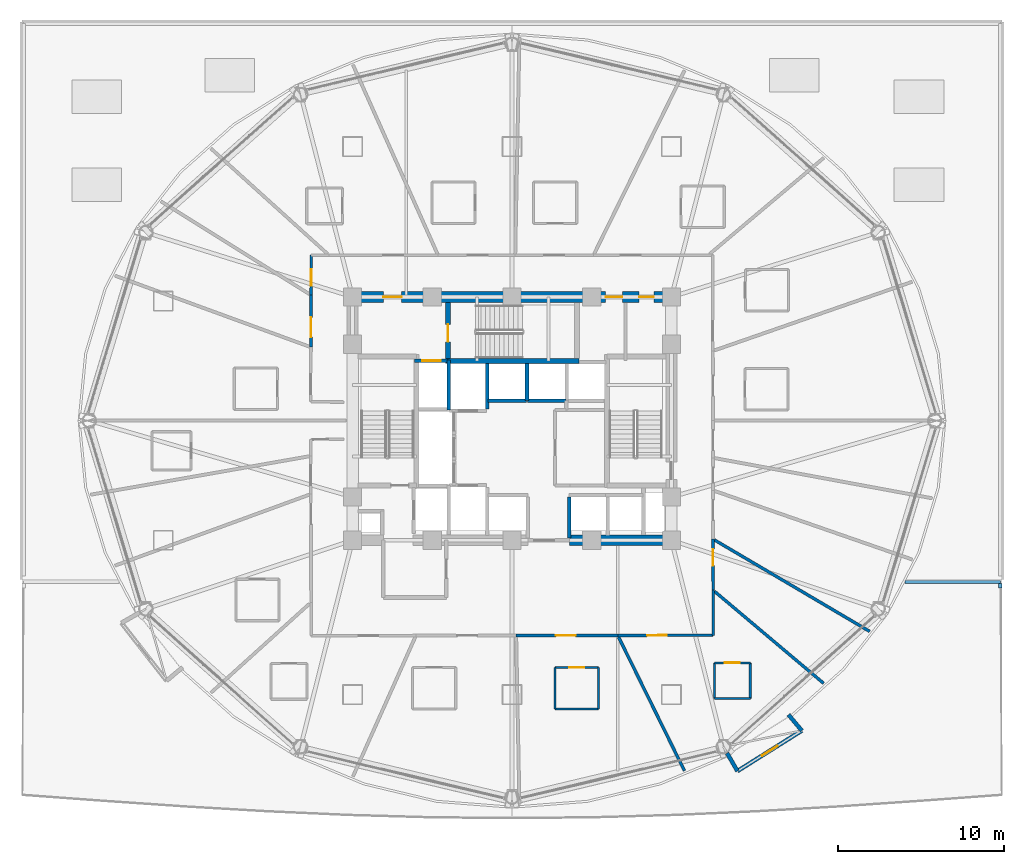
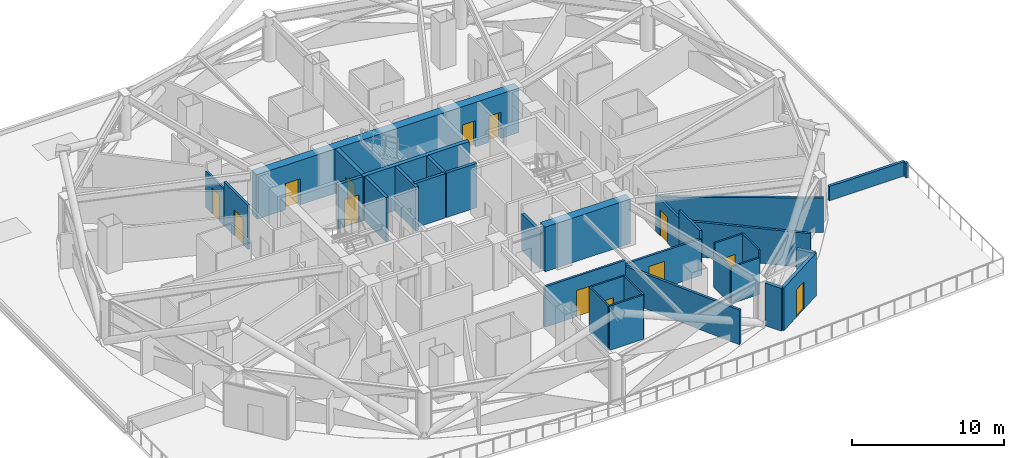
# One storey, part 21 of 27: 33 walls, 13 doors, 13 openings.
"""IFC4 building model written with IfcOpenShell, lengths in metres."""

from ifc_helpers import new_model, si_unit, direction, frame, frame_2d, origin, place, context, subcontext, project, spatial, rectangle, extrude, material, layer, layer_set, type_object, element, fill, save


model = new_model("IFC4")

# Units and contexts
model_context = context("Model", 3, precision=1e-05, world=origin(), true_north=direction((0.0, 1.0)))
body_context = subcontext(model_context, "Body", "Model", "MODEL_VIEW")
ifc_project = project(units=[si_unit("LENGTHUNIT", "METRE"), si_unit("AREAUNIT", "SQUARE_METRE"), si_unit("VOLUMEUNIT", "CUBIC_METRE"), si_unit("PLANEANGLEUNIT", "RADIAN"), si_unit("MASSUNIT", "GRAM", prefix="KILO")], contexts=[model_context])

# Site, building, storey
site_placement = place(None, origin())
site = spatial("IfcSite", under=ifc_project, at=site_placement, CompositionType="ELEMENT")
building_placement = place(site_placement, origin())
building = spatial("IfcBuilding", under=site, at=building_placement, Name="Vantalir Tower", CompositionType="ELEMENT")
storey_placement = place(building_placement, frame((0.0, 0.0, 27.0)))
storey = spatial("IfcBuildingStorey", under=building, at=storey_placement, Name="L05", CompositionType="ELEMENT", Elevation=27.0)

# Wall
ifc_material_1 = material(Name="Moisture-resistant en-suite partition", Category="gypsum")
ifc_layer_1 = layer(ifc_material_1, 0.125)
ifc_layer_set_1 = layer_set([ifc_layer_1], Name="Moisture-resistant en-suite partition")
wall_type_1 = type_object("IfcWallType", Name="WL-BATH-125", PredefinedType="PARTITIONING", material=ifc_layer_set_1)
wall_1_placement = place(storey_placement, frame((34.095947265625, 7.635009765625, 0.0), z_axis=(0.0, 0.0, 1.0), x_axis=(1.0, 0.0, 0.0)))
element("IfcWall", 1, at=wall_1_placement, inside=storey, type_object=wall_type_1, Name="L05 En-suite 15 South Wall", PredefinedType="PARTITIONING", context=body_context, shape_type="SweptSolid", body=[
    extrude(rectangle(XDim=2.60009765625, YDim=0.125, at=frame_2d((1.300048828125, 0.0))), origin(), (0.0, 0.0, 1.0), 3.550048828125),
])

# Wall, opening, door
wall_2_placement = place(storey_placement, frame((34.095947265625, 10.135009765625, 0.0), z_axis=(0.0, 0.0, 1.0), x_axis=(1.0, 0.0, 0.0)))
wall_2 = element("IfcWall", 2, at=wall_2_placement, inside=storey, type_object=wall_type_1, Name="L05 En-suite 15 North Wall", PredefinedType="PARTITIONING", context=body_context, shape_type="SweptSolid", body=[
    extrude(rectangle(XDim=2.60009765625, YDim=0.125, at=frame_2d((1.300048828125, 0.0))), origin(), (0.0, 0.0, 1.0), 3.550048828125),
])
opening_1_placement = place(wall_2_placement, frame((0.85009765625, 0.0, 0.0)))
opening_1 = element("IfcOpeningElement", 3, at=opening_1_placement, cuts=wall_2, Name="Opening D-WC", PredefinedType="OPENING", context=body_context, shape_type="SweptSolid", body=[
    extrude(rectangle(XDim=0.89990234375, YDim=2.10009765625, at=frame_2d((0.449951171875, 1.050048828125))), frame((0.0, 0.072509765625, 0.0), z_axis=(0.0, -1.0, 0.0), x_axis=(1.0, 0.0, 0.0)), (0.0, 0.0, 1.0), 0.14501953125),
])
ifc_material_2 = material(Name="Moisture-resistant hardwood door", Category="wood")
door_type_1 = type_object("IfcDoorType", Name="DR-ENSUITE-900", OperationType="NOTDEFINED", PredefinedType="DOOR", material=ifc_material_2)
door_1_placement = place(opening_1_placement, frame((0.89990234375, 0.0, 0.0), z_axis=(0.0, 0.0, 1.0), x_axis=(-1.0, 0.0, 0.0)))
door_1 = element("IfcDoor", 4, at=door_1_placement, inside=storey, type_object=door_type_1, Name="L05 En-suite 15 Door", OperationType="SINGLE_SWING_LEFT", OverallHeight=2.10009765625, OverallWidth=0.89990234375, PredefinedType="DOOR", context=body_context, shape_type="SweptSolid", body=[
    extrude(rectangle(XDim=0.89990234375, YDim=2.10009765625, at=frame_2d((0.449951171875, 1.050048828125))), frame((0.0, 0.02490234375, 0.0), z_axis=(0.0, -1.0, 0.0), x_axis=(1.0, 0.0, 0.0)), (0.0, 0.0, 1.0), 0.050048828125),
])
fill(opening_1, door_1)

# Walls
for number, where, z_axis, x_axis, name in (
    (5, (34.095947265625, 7.635009765625, 0.0), (0.0, 0.0, 1.0), (0.0, 1.0, 0.0), "L05 En-suite 15 West Wall"),
    (6, (36.696044921875, 7.635009765625, 0.0), (0.0, 0.0, 1.0), (0.0, 1.0, 0.0), "L05 En-suite 15 East Wall"),
):
    element("IfcWall", number, at=place(storey_placement, frame(where, z_axis=z_axis, x_axis=x_axis)), inside=storey, type_object=wall_type_1, Name=name, PredefinedType="PARTITIONING", context=body_context, shape_type="SweptSolid", body=[
        extrude(rectangle(XDim=2.5, YDim=0.125, at=frame_2d((1.25, 0.0))), origin(), (0.0, 0.0, 1.0), 3.550048828125),
    ])
wall_3_placement = place(storey_placement, frame((43.697021484375, 8.262939453125, 0.0), z_axis=(0.0, 0.0, 1.0), x_axis=(1.0, 0.0, 0.0)))
element("IfcWall", 7, at=wall_3_placement, inside=storey, type_object=wall_type_1, Name="L05 En-suite 16 South Wall", PredefinedType="PARTITIONING", context=body_context, shape_type="SweptSolid", body=[
    extrude(rectangle(XDim=2.14990234375, YDim=0.125, at=frame_2d((1.074951171875, 0.0))), origin(), (0.0, 0.0, 1.0), 2.928955078125),
])

# Wall, opening, door
wall_4_placement = place(storey_placement, frame((43.697021484375, 10.4130859375, 0.0), z_axis=(0.0, 0.0, 1.0), x_axis=(1.0, 0.0, 0.0)))
wall_4 = element("IfcWall", 8, at=wall_4_placement, inside=storey, type_object=wall_type_1, Name="L05 En-suite 16 North Wall", PredefinedType="PARTITIONING", context=body_context, shape_type="SweptSolid", body=[
    extrude(rectangle(XDim=2.14990234375, YDim=0.125, at=frame_2d((1.074951171875, 0.0))), origin(), (0.0, 0.0, 1.0), 3.550048828125),
])
opening_2_placement = place(wall_4_placement, frame((0.625, 0.0, 0.0)))
opening_2 = element("IfcOpeningElement", 9, at=opening_2_placement, cuts=wall_4, Name="Opening D-WC", PredefinedType="OPENING", context=body_context, shape_type="SweptSolid", body=[
    extrude(rectangle(XDim=0.89990234375, YDim=2.10009765625, at=frame_2d((0.449951171875, 1.050048828125))), frame((0.0, 0.072509765625, 0.0), z_axis=(0.0, -1.0, 0.0), x_axis=(1.0, 0.0, 0.0)), (0.0, 0.0, 1.0), 0.14501953125),
])
door_2_placement = place(opening_2_placement, frame((0.89990234375, 0.0, 0.0), z_axis=(0.0, 0.0, 1.0), x_axis=(-1.0, 0.0, 0.0)))
door_2 = element("IfcDoor", 10, at=door_2_placement, inside=storey, type_object=door_type_1, Name="L05 En-suite 16 Door", OperationType="SINGLE_SWING_RIGHT", OverallHeight=2.10009765625, OverallWidth=0.89990234375, PredefinedType="DOOR", context=body_context, shape_type="SweptSolid", body=[
    extrude(rectangle(XDim=0.89990234375, YDim=2.10009765625, at=frame_2d((0.449951171875, 1.050048828125))), frame((0.0, 0.02490234375, 0.0), z_axis=(0.0, -1.0, 0.0), x_axis=(1.0, 0.0, 0.0)), (0.0, 0.0, 1.0), 0.050048828125),
])
fill(opening_2, door_2)

# Walls
wall_5_placement = place(storey_placement, frame((43.697021484375, 8.262939453125, 0.0), z_axis=(0.0, 0.0, 1.0), x_axis=(0.0, 1.0, 0.0)))
element("IfcWall", 11, at=wall_5_placement, inside=storey, type_object=wall_type_1, Name="L05 En-suite 16 West Wall", PredefinedType="PARTITIONING", context=body_context, shape_type="SweptSolid", body=[
    extrude(rectangle(XDim=2.150146484375, YDim=0.125, at=frame_2d((1.0751953125, 0.0))), origin(), (0.0, 0.0, 1.0), 2.928955078125),
])
wall_6_placement = place(storey_placement, frame((45.846923828125, 8.262939453125, 0.0), z_axis=(0.0, 0.0, 1.0), x_axis=(0.0, 1.0, 0.0)))
element("IfcWall", 12, at=wall_6_placement, inside=storey, type_object=wall_type_1, Name="L05 En-suite 16 East Wall", PredefinedType="PARTITIONING", context=body_context, shape_type="SweptSolid", body=[
    extrude(rectangle(XDim=2.150146484375, YDim=0.125, at=frame_2d((1.0751953125, 0.0))), origin(), (0.0, 0.0, 1.0), 3.550048828125),
])
ifc_material_3 = material(Name="Concrete C60/75", Category="concrete")
ifc_layer_2 = layer(ifc_material_3, 0.64990234375)
ifc_layer_set_2 = layer_set([ifc_layer_2], Name="Concrete C60/75")
wall_type_2 = type_object("IfcWallType", Name="WL-CORE-650", PredefinedType="SHEAR", material=ifc_layer_set_2)
wall_7_placement = place(storey_placement, frame((34.949951171875, 17.800048828125, 0.0), z_axis=(0.0, 0.0, 1.0), x_axis=(1.0, 0.0, 0.0)))
element("IfcWall", 13, at=wall_7_placement, inside=storey, type_object=wall_type_2, Name="L05 Core Shear Wall South-East", PredefinedType="SHEAR", context=body_context, shape_type="SweptSolid", body=[
    extrude(rectangle(XDim=6.47509765625, YDim=0.64990234375, at=frame_2d((3.237548828125, 0.0))), origin(), (0.0, 0.0, 1.0), 3.570068359375),
])

# Wall, openings, doors
wall_8_placement = place(storey_placement, frame((21.574951171875, 32.449951171875, 0.0), z_axis=(0.0, 0.0, 1.0), x_axis=(1.0, 0.0, 0.0)))
wall_8 = element("IfcWall", 14, at=wall_8_placement, inside=storey, type_object=wall_type_2, Name="L05 Core Shear Wall North", PredefinedType="SHEAR", context=body_context, shape_type="SweptSolid", body=[
    extrude(rectangle(XDim=19.85009765625, YDim=0.64990234375, at=frame_2d((9.925048828125, 0.0))), origin(), (0.0, 0.0, 1.0), 3.570068359375),
])
opening_3_placement = place(wall_8_placement, frame((2.175048828125, 0.0, 0.0)))
opening_3 = element("IfcOpeningElement", 15, at=opening_3_placement, cuts=wall_8, Name="Opening D-FFL", PredefinedType="OPENING", context=body_context, shape_type="SweptSolid", body=[
    extrude(rectangle(XDim=1.10009765625, YDim=2.10009765625, at=frame_2d((0.550048828125, 1.050048828125))), frame((0.0, 0.3349609375, 0.0), z_axis=(0.0, -1.0, 0.0), x_axis=(1.0, 0.0, 0.0)), (0.0, 0.0, 1.0), 0.669921875),
])
opening_4_placement = place(wall_8_placement, frame((15.56494140625, 0.0, 0.0)))
opening_4 = element("IfcOpeningElement", 16, at=opening_4_placement, cuts=wall_8, Name="Opening D-GUEST", PredefinedType="OPENING", context=body_context, shape_type="SweptSolid", body=[
    extrude(rectangle(XDim=1.0, YDim=2.10009765625, at=frame_2d((0.5, 1.050048828125))), frame((0.0, 0.3349609375, 0.0), z_axis=(0.0, -1.0, 0.0), x_axis=(1.0, 0.0, 0.0)), (0.0, 0.0, 1.0), 0.669921875),
])
opening_5_placement = place(wall_8_placement, frame((17.574951171875, 0.0, 0.0)))
opening_5 = element("IfcOpeningElement", 17, at=opening_5_placement, cuts=wall_8, Name="Opening D-CR", PredefinedType="OPENING", context=body_context, shape_type="SweptSolid", body=[
    extrude(rectangle(XDim=0.89990234375, YDim=2.10009765625, at=frame_2d((0.449951171875, 1.050048828125))), frame((0.0, 0.3349609375, 0.0), z_axis=(0.0, -1.0, 0.0), x_axis=(1.0, 0.0, 0.0)), (0.0, 0.0, 1.0), 0.669921875),
])
ifc_material_4 = material(Name="Fire-rated steel core service door", Category="steel")
door_type_2 = type_object("IfcDoorType", Name="DR-CORE-SERV-900", OperationType="NOTDEFINED", PredefinedType="DOOR", material=ifc_material_4)
door_3_placement = place(opening_5_placement, frame((0.89990234375, 0.0, 0.0), z_axis=(0.0, 0.0, 1.0), x_axis=(-1.0, 0.0, 0.0)))
door_3 = element("IfcDoor", 18, at=door_3_placement, inside=storey, type_object=door_type_2, Name="L05 Housekeeping and Linen Room Door", OperationType="SINGLE_SWING_RIGHT", OverallHeight=2.10009765625, OverallWidth=0.89990234375, PredefinedType="DOOR", context=body_context, shape_type="SweptSolid", body=[
    extrude(rectangle(XDim=0.89990234375, YDim=2.10009765625, at=frame_2d((0.449951171875, 1.050048828125))), frame((0.0, 0.02490234375, 0.0), z_axis=(0.0, -1.0, 0.0), x_axis=(1.0, 0.0, 0.0)), (0.0, 0.0, 1.0), 0.050048828125),
])
fill(opening_5, door_3)
ifc_material_5 = material(Name="Fire-rated acoustic steel door", Category="steel")
door_type_3 = type_object("IfcDoorType", Name="DR-FIRE-LOBBY-1100", OperationType="NOTDEFINED", PredefinedType="DOOR", material=ifc_material_5)
door_4_placement = place(opening_3_placement, frame((1.10009765625, 0.0, 0.0), z_axis=(0.0, 0.0, 1.0), x_axis=(-1.0, 0.0, 0.0)))
door_4 = element("IfcDoor", 19, at=door_4_placement, inside=storey, type_object=door_type_3, Name="L05 Firefighting Lobby East Access Door", OperationType="SINGLE_SWING_LEFT", OverallHeight=2.10009765625, OverallWidth=1.10009765625, PredefinedType="DOOR", context=body_context, shape_type="SweptSolid", body=[
    extrude(rectangle(XDim=1.10009765625, YDim=2.10009765625, at=frame_2d((0.550048828125, 1.050048828125))), frame((0.0, 0.02490234375, 0.0), z_axis=(0.0, -1.0, 0.0), x_axis=(1.0, 0.0, 0.0)), (0.0, 0.0, 1.0), 0.050048828125),
])
fill(opening_3, door_4)
ifc_material_6 = material(Name="Solid-core teak veneer acoustic fire door", Category="wood")
door_type_4 = type_object("IfcDoorType", Name="DR-GUEST-ENTRY-1000", OperationType="NOTDEFINED", PredefinedType="DOOR", material=ifc_material_6)
door_5_placement = place(opening_4_placement, frame((1.0, 0.0, 0.0), z_axis=(0.0, 0.0, 1.0), x_axis=(-1.0, 0.0, 0.0)))
door_5 = element("IfcDoor", 20, at=door_5_placement, inside=storey, type_object=door_type_4, Name="L05 High-Rise Lift Lobby Door", OperationType="SINGLE_SWING_LEFT", OverallHeight=2.10009765625, OverallWidth=1.0, PredefinedType="DOOR", context=body_context, shape_type="SweptSolid", body=[
    extrude(rectangle(XDim=1.0, YDim=2.10009765625, at=frame_2d((0.5, 1.050048828125))), frame((0.0, 0.02490234375, 0.0), z_axis=(0.0, -1.0, 0.0), x_axis=(1.0, 0.0, 0.0)), (0.0, 0.0, 1.0), 0.050048828125),
])
fill(opening_4, door_5)

# Wall, opening, door
ifc_material_7 = material(Name="Fire-rated hotel corridor acoustic partition", Category="gypsum")
ifc_layer_3 = layer(ifc_material_7, 0.159912109375)
ifc_layer_set_3 = layer_set([ifc_layer_3], Name="Fire-rated hotel corridor acoustic partition")
wall_type_3 = type_object("IfcWallType", Name="WL-CORR-160", PredefinedType="PARTITIONING", material=ifc_layer_set_3)
wall_9_placement = place(storey_placement, frame((19.39306640625, 29.422119140625, 0.0), z_axis=(0.0, 0.0, 1.0), x_axis=(0.002490458461, 0.999996898804, 0.0)))
wall_9 = element("IfcWall", 21, at=wall_9_placement, inside=storey, type_object=wall_type_3, Name="L05 Corridor Partition 03", PredefinedType="PARTITIONING", context=body_context, shape_type="SweptSolid", body=[
    extrude(rectangle(XDim=3.136962890625, YDim=0.159912109375, at=frame_2d((1.568359375, 0.0))), origin(), (0.0, 0.0, 1.0), 3.550048828125),
])
opening_6_placement = place(wall_9_placement, frame((0.60107421875, 0.0, 0.0)))
opening_6 = element("IfcOpeningElement", 22, at=opening_6_placement, cuts=wall_9, Name="Opening D-STE", PredefinedType="OPENING", context=body_context, shape_type="SweptSolid", body=[
    extrude(rectangle(XDim=1.199951171875, YDim=2.10009765625, at=frame_2d((0.60009765625, 1.050048828125))), frame((0.0, 0.08984375, 0.0), z_axis=(0.0, -1.0, 0.0), x_axis=(1.0, 0.0, 0.0)), (0.0, 0.0, 1.0), 0.179931640625),
])
ifc_material_8 = material(Name="Solid-core teak veneer suite entrance door", Category="wood")
door_type_5 = type_object("IfcDoorType", Name="DR-SUITE-ENTRY-1200", OperationType="NOTDEFINED", PredefinedType="DOOR", material=ifc_material_8)
door_6_placement = place(opening_6_placement, origin())
door_6 = element("IfcDoor", 23, at=door_6_placement, inside=storey, type_object=door_type_5, Name="L05 Club Reading Lounge 08 Door", OperationType="SINGLE_SWING_RIGHT", OverallHeight=2.10009765625, OverallWidth=1.199951171875, PredefinedType="DOOR", context=body_context, shape_type="SweptSolid", body=[
    extrude(rectangle(XDim=1.199951171875, YDim=2.10009765625, at=frame_2d((0.60009765625, 1.050048828125))), frame((0.0, 0.02490234375, 0.0), z_axis=(0.0, -1.0, 0.0), x_axis=(1.0, 0.0, 0.0)), (0.0, 0.0, 1.0), 0.050048828125),
])
fill(opening_6, door_6)

wall_10_placement = place(storey_placement, frame((19.40087890625, 32.55908203125, 0.0), z_axis=(0.0, 0.0, 1.0), x_axis=(0.002135443575, 0.999997719938, 0.0)))
wall_10 = element("IfcWall", 24, at=wall_10_placement, inside=storey, type_object=wall_type_3, Name="L05 Corridor Partition 04", PredefinedType="PARTITIONING", context=body_context, shape_type="SweptSolid", body=[
    extrude(rectangle(XDim=2.40087890625, YDim=0.159912109375, at=frame_2d((1.200439453125, 0.0))), origin(), (0.0, 0.0, 1.0), 2.928955078125),
])
opening_7_placement = place(wall_10_placement, frame((0.56494140625, 0.0, 0.0)))
opening_7 = element("IfcOpeningElement", 25, at=opening_7_placement, cuts=wall_10, Name="Opening D-GUEST", PredefinedType="OPENING", context=body_context, shape_type="SweptSolid", body=[
    extrude(rectangle(XDim=1.0, YDim=2.10009765625, at=frame_2d((0.5, 1.050048828125))), frame((0.0, 0.08984375, 0.0), z_axis=(0.0, -1.0, 0.0), x_axis=(1.0, 0.0, 0.0)), (0.0, 0.0, 1.0), 0.179931640625),
])
door_7_placement = place(opening_7_placement, origin())
door_7 = element("IfcDoor", 26, at=door_7_placement, inside=storey, type_object=door_type_4, Name="L05 Executive Business Study 07 Door", OperationType="SINGLE_SWING_LEFT", OverallHeight=2.10009765625, OverallWidth=1.0, PredefinedType="DOOR", context=body_context, shape_type="SweptSolid", body=[
    extrude(rectangle(XDim=1.0, YDim=2.10009765625, at=frame_2d((0.5, 1.050048828125))), frame((0.0, 0.02490234375, 0.0), z_axis=(0.0, -1.0, 0.0), x_axis=(1.0, 0.0, 0.0)), (0.0, 0.0, 1.0), 0.050048828125),
])
fill(opening_7, door_7)

wall_11_placement = place(storey_placement, frame((43.60595703125, 17.865966796875, 0.0), z_axis=(0.0, 0.0, 1.0), x_axis=(0.00063557626, -0.999999798021, 0.0)))
wall_11 = element("IfcWall", 27, at=wall_11_placement, inside=storey, type_object=wall_type_3, Name="L05 Corridor Partition 15", PredefinedType="PARTITIONING", context=body_context, shape_type="SweptSolid", body=[
    extrude(rectangle(XDim=3.072998046875, YDim=0.159912109375, at=frame_2d((1.53662109375, 0.0))), origin(), (0.0, 0.0, 1.0), 2.928955078125),
])
opening_8_placement = place(wall_11_placement, frame((0.597900390625, 0.0, 0.0)))
opening_8 = element("IfcOpeningElement", 28, at=opening_8_placement, cuts=wall_11, Name="Opening D-GUEST", PredefinedType="OPENING", context=body_context, shape_type="SweptSolid", body=[
    extrude(rectangle(XDim=1.0, YDim=2.10009765625, at=frame_2d((0.5, 1.050048828125))), frame((0.0, 0.08984375, 0.0), z_axis=(0.0, -1.0, 0.0), x_axis=(1.0, 0.0, 0.0)), (0.0, 0.0, 1.0), 0.179931640625),
])
door_8_placement = place(opening_8_placement, origin())
door_8 = element("IfcDoor", 29, at=door_8_placement, inside=storey, type_object=door_type_4, Name="L05 Executive Business Study 17 Door", OperationType="SINGLE_SWING_LEFT", OverallHeight=2.10009765625, OverallWidth=1.0, PredefinedType="DOOR", context=body_context, shape_type="SweptSolid", body=[
    extrude(rectangle(XDim=1.0, YDim=2.10009765625, at=frame_2d((0.5, 1.050048828125))), frame((0.0, 0.02490234375, 0.0), z_axis=(0.0, -1.0, 0.0), x_axis=(1.0, 0.0, 0.0)), (0.0, 0.0, 1.0), 0.050048828125),
])
fill(opening_8, door_8)

# Wall
wall_12_placement = place(storey_placement, frame((43.60791015625, 14.79296875, 0.0), z_axis=(0.0, 0.0, 1.0), x_axis=(0.000807247024, -0.999999674176, 0.0)))
element("IfcWall", 30, at=wall_12_placement, inside=storey, type_object=wall_type_3, Name="L05 Corridor Partition 16", PredefinedType="PARTITIONING", context=body_context, shape_type="SweptSolid", body=[
    extrude(rectangle(XDim=2.721923828125, YDim=0.159912109375, at=frame_2d((1.36083984375, 0.0))), origin(), (0.0, 0.0, 1.0), 3.550048828125),
])

# Wall, opening, door
wall_13_placement = place(storey_placement, frame((43.610107421875, 12.071044921875, 0.0), z_axis=(0.0, 0.0, 1.0), x_axis=(-0.999999738588, -0.00072306561, 0.0)))
wall_13 = element("IfcWall", 31, at=wall_13_placement, inside=storey, type_object=wall_type_3, Name="L05 Corridor Partition 17", PredefinedType="PARTITIONING", context=body_context, shape_type="SweptSolid", body=[
    extrude(rectangle(XDim=5.739990234375, YDim=0.159912109375, at=frame_2d((2.8701171875, 0.0))), origin(), (0.0, 0.0, 1.0), 2.928955078125),
])
opening_9_placement = place(wall_13_placement, frame((2.779052734375, 0.0, 0.0)))
opening_9 = element("IfcOpeningElement", 32, at=opening_9_placement, cuts=wall_13, Name="Opening D-STE", PredefinedType="OPENING", context=body_context, shape_type="SweptSolid", body=[
    extrude(rectangle(XDim=1.199951171875, YDim=2.10009765625, at=frame_2d((0.60009765625, 1.050048828125))), frame((0.0, 0.08984375, 0.0), z_axis=(0.0, -1.0, 0.0), x_axis=(1.0, 0.0, 0.0)), (0.0, 0.0, 1.0), 0.179931640625),
])
door_9_placement = place(opening_9_placement, origin())
door_9 = element("IfcDoor", 33, at=door_9_placement, inside=storey, type_object=door_type_5, Name="L05 Executive Club Hotel Suite 16 Door", OperationType="SINGLE_SWING_RIGHT", OverallHeight=2.10009765625, OverallWidth=1.199951171875, PredefinedType="DOOR", context=body_context, shape_type="SweptSolid", body=[
    extrude(rectangle(XDim=1.199951171875, YDim=2.10009765625, at=frame_2d((0.60009765625, 1.050048828125))), frame((0.0, 0.02490234375, 0.0), z_axis=(0.0, -1.0, 0.0), x_axis=(1.0, 0.0, 0.0)), (0.0, 0.0, 1.0), 0.050048828125),
])
fill(opening_9, door_9)

wall_14_placement = place(storey_placement, frame((37.8701171875, 12.06689453125, 0.0), z_axis=(0.0, 0.0, 1.0), x_axis=(-0.99999979631, -0.000638263792, 0.0)))
wall_14 = element("IfcWall", 34, at=wall_14_placement, inside=storey, type_object=wall_type_3, Name="L05 Corridor Partition 18", PredefinedType="PARTITIONING", context=body_context, shape_type="SweptSolid", body=[
    extrude(rectangle(XDim=6.1201171875, YDim=0.159912109375, at=frame_2d((3.06005859375, 0.0))), origin(), (0.0, 0.0, 1.0), 3.238037109375),
])
opening_10_placement = place(wall_14_placement, frame((2.533935546875, 0.0, 0.0)))
opening_10 = element("IfcOpeningElement", 35, at=opening_10_placement, cuts=wall_14, Name="Opening D-STE", PredefinedType="OPENING", context=body_context, shape_type="SweptSolid", body=[
    extrude(rectangle(XDim=1.199951171875, YDim=2.10009765625, at=frame_2d((0.60009765625, 1.050048828125))), frame((0.0, 0.08984375, 0.0), z_axis=(0.0, -1.0, 0.0), x_axis=(1.0, 0.0, 0.0)), (0.0, 0.0, 1.0), 0.179931640625),
])
door_10_placement = place(opening_10_placement, origin())
door_10 = element("IfcDoor", 36, at=door_10_placement, inside=storey, type_object=door_type_5, Name="L05 Corner Panorama Hotel Suite 15 Door", OperationType="SINGLE_SWING_LEFT", OverallHeight=2.10009765625, OverallWidth=1.199951171875, PredefinedType="DOOR", context=body_context, shape_type="SweptSolid", body=[
    extrude(rectangle(XDim=1.199951171875, YDim=2.10009765625, at=frame_2d((0.60009765625, 1.050048828125))), frame((0.0, 0.02490234375, 0.0), z_axis=(0.0, -1.0, 0.0), x_axis=(1.0, 0.0, 0.0)), (0.0, 0.0, 1.0), 0.050048828125),
])
fill(opening_10, door_10)

# Walls
ifc_material_9 = material(Name="Precast concrete C40/50 insulated sky-garden wall", Category="concrete")
ifc_layer_4 = layer(ifc_material_9, 0.239990234375)
ifc_layer_set_4 = layer_set([ifc_layer_4], Name="Precast concrete C40/50 insulated sky-garden wall")
wall_type_4 = type_object("IfcWallType", Name="WL-EXT-SG-240", PredefinedType="SOLIDWALL", material=ifc_layer_set_4)
wall_15_placement = place(storey_placement, frame((44.449951171875, 4.98291015625, 0.0), z_axis=(0.0, 0.0, 1.0), x_axis=(0.499835134068, -0.866120568253, 0.0)))
element("IfcWall", 37, at=wall_15_placement, inside=storey, type_object=wall_type_4, Name="L05 Podium Garden Vestibule Cheek SEA", PredefinedType="SOLIDWALL", context=body_context, shape_type="SweptSolid", body=[
    extrude(rectangle(XDim=1.25048828125, YDim=0.239990234375, at=frame_2d((0.625244140625, 0.0))), origin(), (0.0, 0.0, 1.0), 3.419921875),
])
wall_16_placement = place(storey_placement, frame((48.951904296875, 6.3359375, 0.0), z_axis=(0.0, 0.0, 1.0), x_axis=(-0.64283034297, 0.766008583606, 0.0)))
element("IfcWall", 38, at=wall_16_placement, inside=storey, type_object=wall_type_4, Name="L05 Podium Garden Vestibule Cheek SEB", PredefinedType="SOLIDWALL", context=body_context, shape_type="SweptSolid", body=[
    extrude(rectangle(XDim=1.250732421875, YDim=0.239990234375, at=frame_2d((0.62548828125, 0.0))), origin(), (0.0, 0.0, 1.0), 3.419921875),
])

# Wall, opening, door
wall_17_placement = place(storey_placement, frame((45.074951171875, 3.89990234375, 0.0), z_axis=(0.0, 0.0, 1.0), x_axis=(0.84672576841, 0.532029579169, 0.0)))
wall_17 = element("IfcWall", 39, at=wall_17_placement, inside=storey, type_object=wall_type_4, Name="L05 Podium Garden Vestibule Front SE", PredefinedType="SOLIDWALL", context=body_context, shape_type="SweptSolid", body=[
    extrude(rectangle(XDim=4.578857421875, YDim=0.239990234375, at=frame_2d((2.28955078125, 0.0))), origin(), (0.0, 0.0, 1.0), 3.419921875),
])
opening_11_placement = place(wall_17_placement, frame((1.739013671875, 0.0, 0.0)))
opening_11 = element("IfcOpeningElement", 40, at=opening_11_placement, cuts=wall_17, Name="Opening D-TR", PredefinedType="OPENING", context=body_context, shape_type="SweptSolid", body=[
    extrude(rectangle(XDim=1.10009765625, YDim=2.199951171875, at=frame_2d((0.550048828125, 1.10009765625))), frame((0.0, 0.1298828125, 0.0), z_axis=(0.0, -1.0, 0.0), x_axis=(1.0, 0.0, 0.0)), (0.0, 0.0, 1.0), 0.260009765625),
])
ifc_material_10 = material(Name="Thermally broken Low-E glazed terrace door", Category="steel")
door_type_6 = type_object("IfcDoorType", Name="DR-EXT-TERR-1100", OperationType="NOTDEFINED", PredefinedType="DOOR", material=ifc_material_10)
door_11_placement = place(opening_11_placement, frame((1.10009765625, 0.0, 0.0), z_axis=(0.0, 0.0, 1.0), x_axis=(-1.0, 0.0, 0.0)))
door_11 = element("IfcDoor", 41, at=door_11_placement, inside=storey, type_object=door_type_6, Name="L05 Podium Roof Garden Terrace Door SE", OperationType="SINGLE_SWING_RIGHT", OverallHeight=2.199951171875, OverallWidth=1.10009765625, PredefinedType="DOOR", context=body_context, shape_type="SweptSolid", body=[
    extrude(rectangle(XDim=1.10009765625, YDim=2.199951171875, at=frame_2d((0.550048828125, 1.10009765625))), frame((0.0, 0.02490234375, 0.0), z_axis=(0.0, -1.0, 0.0), x_axis=(1.0, 0.0, 0.0)), (0.0, 0.0, 1.0), 0.050048828125),
])
fill(opening_11, door_11)

# Walls
ifc_material_11 = material(Name="Concrete blockwork with fireboard lining", Category="masonry")
ifc_layer_5 = layer(ifc_material_11, 0.219970703125)
ifc_layer_set_5 = layer_set([ifc_layer_5], Name="Concrete blockwork with fireboard lining")
wall_type_5 = type_object("IfcWallType", Name="WL-FFL-220", PredefinedType="PARTITIONING", material=ifc_layer_set_5)
wall_18_placement = place(storey_placement, frame((34.949951171875, 17.919921875, 0.0), z_axis=(0.0, 0.0, 1.0), x_axis=(0.0, 1.0, 0.0)))
element("IfcWall", 42, at=wall_18_placement, inside=storey, type_object=wall_type_5, Name="L05 Shuttle Lift PL-X3 West Shaft Cheek", PredefinedType="PARTITIONING", context=body_context, shape_type="SweptSolid", body=[
    extrude(rectangle(XDim=2.469970703125, YDim=0.219970703125, at=frame_2d((1.23486328125, 0.0))), origin(), (0.0, 0.0, 1.0), 2.928955078125),
])
wall_19_placement = place(storey_placement, frame((30.0, 25.7099609375, 0.0), z_axis=(0.0, 0.0, 1.0), x_axis=(0.0, 1.0, 0.0)))
element("IfcWall", 43, at=wall_19_placement, inside=storey, type_object=wall_type_5, Name="L05 Service Lift SV2 East Shaft Wall", PredefinedType="PARTITIONING", context=body_context, shape_type="SweptSolid", body=[
    extrude(rectangle(XDim=2.72998046875, YDim=0.219970703125, at=frame_2d((1.364990234375, 0.0))), origin(), (0.0, 0.0, 1.0), 3.544921875),
])
wall_20_placement = place(storey_placement, frame((32.39990234375, 26.199951171875, 0.0), z_axis=(0.0, 0.0, 1.0), x_axis=(0.0, 1.0, 0.0)))
element("IfcWall", 44, at=wall_20_placement, inside=storey, type_object=wall_type_5, Name="L05 High-Rise Lift PL-H1/H2 Shaft Divider", PredefinedType="PARTITIONING", context=body_context, shape_type="SweptSolid", body=[
    extrude(rectangle(XDim=2.239990234375, YDim=0.219970703125, at=frame_2d((1.1201171875, 0.0))), origin(), (0.0, 0.0, 1.0), 3.544921875),
])

# Wall, opening, door
wall_21_placement = place(storey_placement, frame((25.639892578125, 28.610107421875, 0.0), z_axis=(0.0, 0.0, 1.0), x_axis=(1.0, 0.0, 0.0)))
wall_21 = element("IfcWall", 45, at=wall_21_placement, inside=storey, type_object=wall_type_5, Name="L05 Lift FL2 Shaft Front Wall", PredefinedType="PARTITIONING", context=body_context, shape_type="SweptSolid", body=[
    extrude(rectangle(XDim=2.02001953125, YDim=0.219970703125, at=frame_2d((1.010009765625, 0.0))), origin(), (0.0, 0.0, 1.0), 3.550048828125),
])
opening_12_placement = place(wall_21_placement, frame((0.4599609375, 0.0, 0.0)))
opening_12 = element("IfcOpeningElement", 46, at=opening_12_placement, cuts=wall_21, Name="Opening LD-FL2", PredefinedType="OPENING", context=body_context, shape_type="SweptSolid", body=[
    extrude(rectangle(XDim=1.10009765625, YDim=2.199951171875, at=frame_2d((0.550048828125, 1.10009765625))), frame((0.0, 0.119873046875, 0.0), z_axis=(0.0, -1.0, 0.0), x_axis=(1.0, 0.0, 0.0)), (0.0, 0.0, 1.0), 0.239990234375),
])
ifc_material_12 = material(Name="Brushed stainless-steel sliding lift landing door", Category="steel")
door_type_7 = type_object("IfcDoorType", Name="DR-LIFT-LANDING-1100", OperationType="DOUBLE_DOOR_SLIDING", PredefinedType="DOOR", material=ifc_material_12)
door_12_placement = place(opening_12_placement, origin())
door_12 = element("IfcDoor", 47, at=door_12_placement, inside=storey, type_object=door_type_7, Name="L05 Lift Landing Door FL2", OperationType="DOUBLE_DOOR_SLIDING", OverallHeight=2.199951171875, OverallWidth=1.10009765625, PredefinedType="DOOR", context=body_context, shape_type="SweptSolid", body=[
    extrude(rectangle(XDim=1.10009765625, YDim=2.199951171875, at=frame_2d((0.550048828125, 1.10009765625))), frame((0.0, 0.02490234375, 0.0), z_axis=(0.0, -1.0, 0.0), x_axis=(1.0, 0.0, 0.0)), (0.0, 0.0, 1.0), 0.050048828125),
])
fill(opening_12, door_12)

# Walls
for number, where, z_axis, x_axis, name in (
    (48, (30.0400390625, 26.18994140625, 0.0), (0.0, 0.0, 1.0), (1.0, 0.0, 0.0), "L05 Lift PL-H1 Shaft Front Wall"),
    (49, (32.43994140625, 26.18994140625, 0.0), (0.0, 0.0, 1.0), (1.0, 0.0, 0.0), "L05 Lift PL-H2 Shaft Front Wall"),
):
    element("IfcWall", number, at=place(storey_placement, frame(where, z_axis=z_axis, x_axis=x_axis)), inside=storey, type_object=wall_type_5, Name=name, PredefinedType="PARTITIONING", context=body_context, shape_type="SweptSolid", body=[
        extrude(rectangle(XDim=2.320068359375, YDim=0.219970703125, at=frame_2d((1.16015625, 0.0))), origin(), (0.0, 0.0, 1.0), 3.550048828125),
    ])
wall_22_placement = place(storey_placement, frame((27.699951171875, 25.64990234375, 0.0), z_axis=(0.0, 0.0, 1.0), x_axis=(0.0, 1.0, 0.0)))
element("IfcWall", 50, at=wall_22_placement, inside=storey, type_object=wall_type_5, Name="L05 Fire Lift FL2 Dividing Wall", PredefinedType="PARTITIONING", context=body_context, shape_type="SweptSolid", body=[
    extrude(rectangle(XDim=3.0, YDim=0.219970703125, at=frame_2d((1.5, 0.0))), origin(), (0.0, 0.0, 1.0), 3.550048828125),
])
ifc_material_13 = material(Name="Twin-stud acoustic fire-rated gypsum partition", Category="gypsum")
ifc_layer_6 = layer(ifc_material_13, 0.179931640625)
ifc_layer_set_6 = layer_set([ifc_layer_6], Name="Twin-stud acoustic fire-rated gypsum partition")
wall_type_6 = type_object("IfcWallType", Name="WL-GUEST-180", PredefinedType="PARTITIONING", material=ifc_layer_set_6)
wall_23_placement = place(storey_placement, frame((37.9150390625, 11.97509765625, 0.0), z_axis=(0.0, 0.0, 1.0), x_axis=(0.441857982185, -0.897085014689, 0.0)))
element("IfcWall", 51, at=wall_23_placement, inside=storey, type_object=wall_type_6, Name="L05 Radial Suite Partition 16", PredefinedType="PARTITIONING", context=body_context, shape_type="SweptSolid", body=[
    extrude(rectangle(XDim=8.984619140625, YDim=0.179931640625, at=frame_2d((4.4921875, 0.0))), origin(), (0.0, 0.0, 1.0), 2.77490234375),
])
wall_24_placement = place(storey_placement, frame((43.68994140625, 14.72509765625, 0.0), z_axis=(0.0, 0.0, 1.0), x_axis=(0.76456649446, -0.644544859221, 0.0)))
element("IfcWall", 52, at=wall_24_placement, inside=storey, type_object=wall_type_6, Name="L05 Radial Suite Partition 17", PredefinedType="PARTITIONING", context=body_context, shape_type="SweptSolid", body=[
    extrude(rectangle(XDim=8.598388671875, YDim=0.179931640625, at=frame_2d((4.29931640625, 0.0))), origin(), (0.0, 0.0, 1.0), 2.77490234375),
])
wall_25_placement = place(storey_placement, frame((43.68994140625, 17.81689453125, 0.0), z_axis=(0.0, 0.0, 1.0), x_axis=(0.861559196755, -0.507657119015, 0.0)))
element("IfcWall", 53, at=wall_25_placement, inside=storey, type_object=wall_type_6, Name="L05 Radial Suite Partition 18", PredefinedType="PARTITIONING", context=body_context, shape_type="SweptSolid", body=[
    extrude(rectangle(XDim=10.851318359375, YDim=0.179931640625, at=frame_2d((5.42578125, 0.0))), origin(), (0.0, 0.0, 1.0), 2.77490234375),
])
ifc_material_14 = material(Name="Concrete C40/50 parapet upstand", Category="concrete")
ifc_layer_7 = layer(ifc_material_14, 0.199951171875)
ifc_layer_set_7 = layer_set([ifc_layer_7], Name="Concrete C40/50 parapet upstand")
wall_type_7 = type_object("IfcWallType", Name="WL-PARA-200", PredefinedType="PARAPET", material=ifc_layer_set_7)
wall_26_placement = place(storey_placement, frame((60.89990234375, 15.280029296875, 0.0), z_axis=(0.0, 0.0, 1.0), x_axis=(-1.0, 0.0, 0.0)))
element("IfcWall", 54, at=wall_26_placement, inside=storey, type_object=wall_type_7, Name="L05 South Terrace Divider Parapet East", PredefinedType="PARAPET", context=body_context, shape_type="SweptSolid", body=[
    extrude(rectangle(XDim=5.75, YDim=0.199951171875, at=frame_2d((2.875, 0.0))), origin(), (0.0, 0.0, 1.0), 1.14990234375),
])
wall_27_placement = place(storey_placement, frame((60.89990234375, 14.919921875, 0.0), z_axis=(0.0, 0.0, 1.0), x_axis=(0.0, 1.0, 0.0)))
element("IfcWall", 55, at=wall_27_placement, inside=storey, type_object=wall_type_7, Name="L05 South Terrace East Cheek Parapet", PredefinedType="PARAPET", context=body_context, shape_type="SweptSolid", body=[
    extrude(rectangle(XDim=0.260009765625, YDim=0.199951171875, at=frame_2d((0.1298828125, 0.0))), origin(), (0.0, 0.0, 1.0), 1.14990234375),
])
ifc_material_15 = material(Name="Concrete C50/60", Category="concrete")
ifc_layer_8 = layer(ifc_material_15, 0.300048828125)
ifc_layer_set_8 = layer_set([ifc_layer_8], Name="Concrete C50/60")
wall_type_8 = type_object("IfcWallType", Name="WL-STAIR-300", PredefinedType="SHEAR", material=ifc_layer_set_8)
wall_28_placement = place(storey_placement, frame((27.510009765625, 28.60009765625, 0.0), z_axis=(0.0, 0.0, 1.0), x_axis=(1.0, 0.0, 0.0)))
element("IfcWall", 56, at=wall_28_placement, inside=storey, type_object=wall_type_8, Name="L05 Stair ST3 South Wall", PredefinedType="SHEAR", context=body_context, shape_type="SweptSolid", body=[
    extrude(rectangle(XDim=8.030029296875, YDim=0.300048828125, at=frame_2d((4.01513671875, 0.0))), origin(), (0.0, 0.0, 1.0), 3.570068359375),
])

# Wall, opening, door
wall_29_placement = place(storey_placement, frame((27.64990234375, 28.75, 0.0), z_axis=(0.0, 0.0, 1.0), x_axis=(0.0, 1.0, 0.0)))
wall_29 = element("IfcWall", 57, at=wall_29_placement, inside=storey, type_object=wall_type_8, Name="L05 Stair ST3 West Wall", PredefinedType="SHEAR", context=body_context, shape_type="SweptSolid", body=[
    extrude(rectangle(XDim=3.375, YDim=0.300048828125, at=frame_2d((1.6875, 0.0))), origin(), (0.0, 0.0, 1.0), 3.570068359375),
])
opening_13_placement = place(wall_29_placement, frame((1.0, 0.0, 0.0)))
opening_13 = element("IfcOpeningElement", 58, at=opening_13_placement, cuts=wall_29, Name="Opening D-ST", PredefinedType="OPENING", context=body_context, shape_type="SweptSolid", body=[
    extrude(rectangle(XDim=1.050048828125, YDim=2.10009765625, at=frame_2d((0.52490234375, 1.050048828125))), frame((0.0, 0.159912109375, 0.0), z_axis=(0.0, -1.0, 0.0), x_axis=(1.0, 0.0, 0.0)), (0.0, 0.0, 1.0), 0.320068359375),
])
ifc_material_16 = material(Name="Fire-rated steel door leaf", Category="steel")
door_type_8 = type_object("IfcDoorType", Name="DR-FIRE-STAIR-1050", OperationType="NOTDEFINED", PredefinedType="DOOR", material=ifc_material_16)
door_13_placement = place(opening_13_placement, frame((1.050048828125, 0.0, 0.0), z_axis=(0.0, 0.0, 1.0), x_axis=(-1.0, 0.0, 0.0)))
door_13 = element("IfcDoor", 59, at=door_13_placement, inside=storey, type_object=door_type_8, Name="L05 Exit Stair ST3 Fire Door", OperationType="SINGLE_SWING_RIGHT", OverallHeight=2.10009765625, OverallWidth=1.050048828125, PredefinedType="DOOR", context=body_context, shape_type="SweptSolid", body=[
    extrude(rectangle(XDim=1.050048828125, YDim=2.10009765625, at=frame_2d((0.52490234375, 1.050048828125))), frame((0.0, 0.02490234375, 0.0), z_axis=(0.0, -1.0, 0.0), x_axis=(1.0, 0.0, 0.0)), (0.0, 0.0, 1.0), 0.050048828125),
])
fill(opening_13, door_13)

save(model, "model.ifc")
